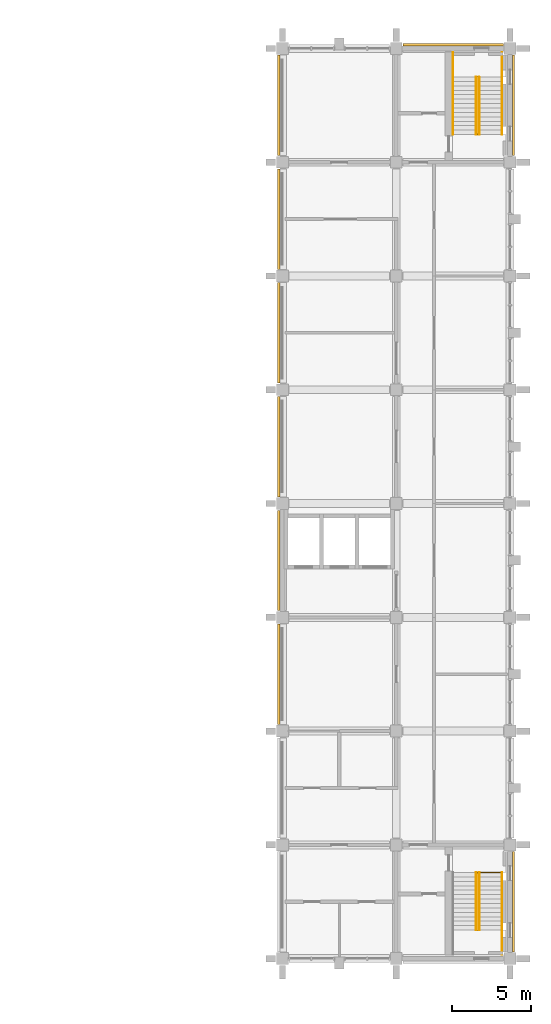
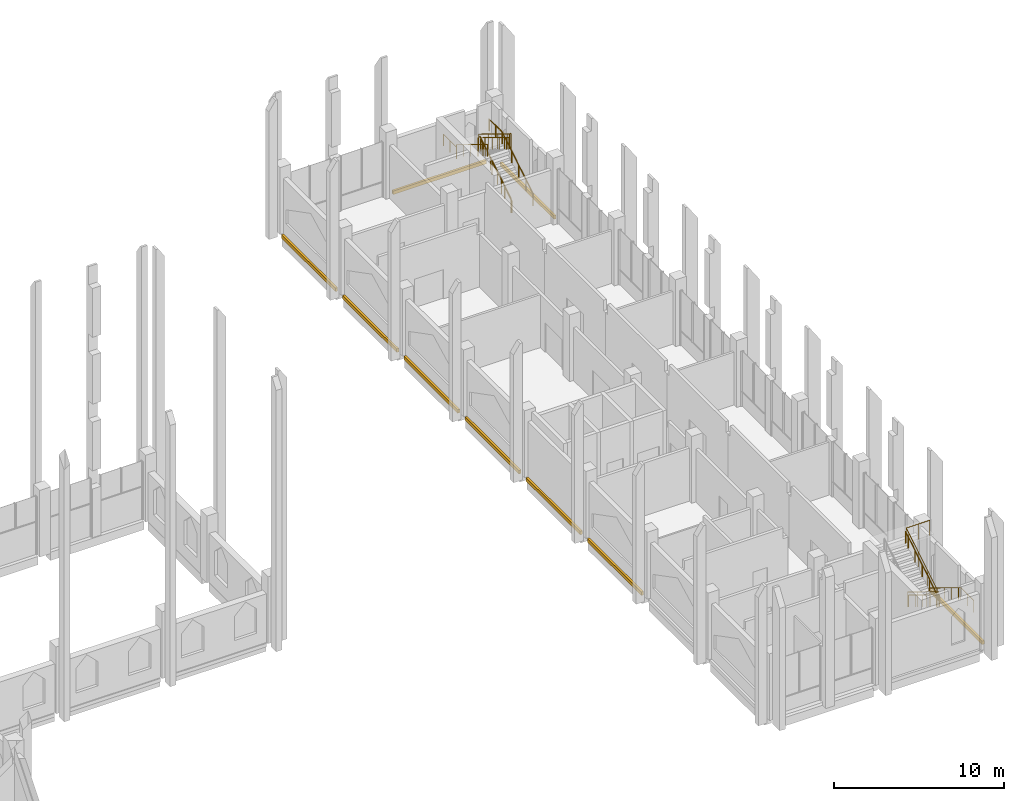
# One storey, part 40 of 40: 9 coverings, 9 railings.
"""IFC4 building model written with IfcOpenShell, lengths in metres."""

from ifc_helpers import new_model, si_unit, direction, frame, origin, origin_2d, place, context, subcontext, project, spatial, rectangle, circle, extrude, material, type_object, element, save


model = new_model("IFC4")

# Units and contexts
model_context = context("Model", 3, precision=1e-05, world=origin(), true_north=direction((0.0, 1.0)))
body_context = subcontext(model_context, "Body", "Model", "MODEL_VIEW")
ifc_project = project(units=[si_unit("LENGTHUNIT", "METRE"), si_unit("AREAUNIT", "SQUARE_METRE"), si_unit("VOLUMEUNIT", "CUBIC_METRE"), si_unit("PLANEANGLEUNIT", "RADIAN"), si_unit("MASSUNIT", "GRAM", prefix="KILO")], contexts=[model_context])

# Site, building, storey
site_placement = place(None, origin())
site = spatial("IfcSite", under=ifc_project, at=site_placement, CompositionType="ELEMENT")
building_placement = place(site_placement, origin())
building = spatial("IfcBuilding", under=site, at=building_placement, Name="Silangan Lancet Faculty of Sciences", CompositionType="ELEMENT")
storey_placement = place(building_placement, frame((0.0, 0.0, 21.60009765625)))
storey = spatial("IfcBuildingStorey", under=building, at=storey_placement, Name="L04", CompositionType="ELEMENT", Elevation=21.60009765625)

# Coverings
ifc_material_1 = material(Name="Concrete C40/50 precast", Category="concrete")
covering_type = type_object("IfcCoveringType", Name="SC1 Precast string course 250 x 150", PredefinedType="CLADDING", material=ifc_material_1)
for number, where, z_axis, x_axis, name in (
    (1, (86.625, 3.60009765625, -0.25), (0.0, 0.0, 1.0), (1.0, 0.0, 0.0), "SC-L04-E-EB-00"),
    (2, (86.625, 54.0, -0.25), (0.0, 0.0, 1.0), (1.0, 0.0, 0.0), "SC-L04-E-EB-07"),
):
    element("IfcCovering", number, at=place(storey_placement, frame(where, z_axis=z_axis, x_axis=x_axis)), inside=storey, type_object=covering_type, Name=name, PredefinedType="CLADDING", context=body_context, shape_type="SweptSolid", body=[
        extrude(rectangle(XDim=0.14990234375, YDim=6.35009765625, at=origin_2d()), origin(), (0.0, 0.0, 1.0), 0.25),
    ])
covering_placement = place(storey_placement, frame((82.800048828125, 57.824951171875, -0.25), z_axis=(0.0, 0.0, 1.0), x_axis=(1.0, 0.0, 0.0)))
element("IfcCovering", 3, at=covering_placement, inside=storey, type_object=covering_type, Name="SC-L04-N-EB-00", PredefinedType="CLADDING", context=body_context, shape_type="SweptSolid", body=[
    extrude(rectangle(XDim=6.35009765625, YDim=0.14990234375, at=origin_2d()), origin(), (0.0, 0.0, 1.0), 0.25),
])
for number, where, z_axis, x_axis, name in (
    (4, (71.77490234375, 18.0, -0.25), (0.0, 0.0, 1.0), (1.0, 0.0, 0.0), "SC-L04-W-EB-02"),
    (5, (71.77490234375, 25.199951171875, -0.25), (0.0, 0.0, 1.0), (1.0, 0.0, 0.0), "SC-L04-W-EB-03"),
    (6, (71.77490234375, 32.39990234375, -0.25), (0.0, 0.0, 1.0), (1.0, 0.0, 0.0), "SC-L04-W-EB-04"),
    (7, (71.77490234375, 39.60009765625, -0.25), (0.0, 0.0, 1.0), (1.0, 0.0, 0.0), "SC-L04-W-EB-05"),
    (8, (71.77490234375, 46.800048828125, -0.25), (0.0, 0.0, 1.0), (1.0, 0.0, 0.0), "SC-L04-W-EB-06"),
    (9, (71.77490234375, 54.0, -0.25), (0.0, 0.0, 1.0), (1.0, 0.0, 0.0), "SC-L04-W-EB-07"),
):
    element("IfcCovering", number, at=place(storey_placement, frame(where, z_axis=z_axis, x_axis=x_axis)), inside=storey, type_object=covering_type, Name=name, PredefinedType="CLADDING", context=body_context, shape_type="SweptSolid", body=[
        extrude(rectangle(XDim=0.14990234375, YDim=6.35009765625, at=origin_2d()), origin(), (0.0, 0.0, 1.0), 0.25),
    ])

# Railings
ifc_material_2 = material(Name="Steel balustrade", Category="steel")
railing_type_1 = type_object("IfcRailingType", Name="STAIR GUARD 1100", PredefinedType="GUARDRAIL", material=ifc_material_2)
railing_1_placement = place(storey_placement, frame((84.39990234375, 5.449951171875, 0.17138671875)))
element("IfcRailing", 10, at=railing_1_placement, inside=storey, type_object=railing_type_1, Name="GUARD-EB-A-L04", PredefinedType="GUARDRAIL", context=body_context, shape_type="SweptSolid", body=[
    extrude(circle(Radius=0.02392578125, at=origin_2d()), frame((0.0, 0.0, 1.076171875), z_axis=(0.0, -0.852881719064, 0.522104178577), x_axis=(1.0, 0.0, 0.0)), (0.0, 0.0, 1.0), 1.31298828125),
    extrude(circle(Radius=0.02392578125, at=origin_2d()), frame((0.0, -1.119873046875, 1.76171875), z_axis=(0.0, -0.852849614702, 0.52215661894), x_axis=(1.0, 0.0, 0.0)), (0.0, 0.0, 1.0), 1.3134765625),
    extrude(circle(Radius=0.02392578125, at=origin_2d()), frame((0.0, -2.239990234375, 2.447265625), z_axis=(0.0, -0.852798921012, 0.522239409008), x_axis=(1.0, 0.0, 0.0)), (0.0, 0.0, 1.0), 1.313232421875),
    extrude(circle(Radius=0.02392578125, at=origin_2d()), frame((0.0, -3.35986328125, 3.13330078125), z_axis=(0.0, -0.852932391421, 0.522021393877), x_axis=(1.0, 0.0, 0.0)), (0.0, 0.0, 1.0), 0.328369140625),
    extrude(circle(Radius=0.02392578125, at=origin_2d()), frame((0.0, -3.639892578125, 3.3046875), z_axis=(-1.0, 0.0, 0.0), x_axis=(0.0, -1.0, 0.0)), (0.0, 0.0, 1.0), 0.099853515625),
    extrude(circle(Radius=0.02392578125, at=origin_2d()), frame((-0.099853515625, -3.639892578125, 3.3046875), z_axis=(0.0, 0.0, 1.0), x_axis=(1.0, 0.0, 0.0)), (0.0, 0.0, 1.0), 0.17138671875),
    extrude(circle(Radius=0.02392578125, at=origin_2d()), frame((-0.099853515625, -3.639892578125, 3.47607421875), z_axis=(0.0, 0.852798921012, 0.522239409008), x_axis=(-1.0, 0.0, 0.0)), (0.0, 0.0, 1.0), 1.313232421875),
    extrude(circle(Radius=0.02392578125, at=origin_2d()), frame((-0.099853515625, -2.52001953125, 4.16162109375), z_axis=(0.0, 0.852849614702, 0.52215661894), x_axis=(-1.0, 0.0, 0.0)), (0.0, 0.0, 1.0), 1.3134765625),
    extrude(circle(Radius=0.02392578125, at=origin_2d()), frame((-0.099853515625, -1.39990234375, 4.84765625), z_axis=(0.0, 0.852881719064, 0.522104178577), x_axis=(-1.0, 0.0, 0.0)), (0.0, 0.0, 1.0), 1.31298828125),
    extrude(circle(Radius=0.02392578125, at=origin_2d()), frame((-0.099853515625, -0.280029296875, 5.533203125), z_axis=(0.0, 0.852932391421, 0.522021393877), x_axis=(-1.0, 0.0, 0.0)), (0.0, 0.0, 1.0), 0.328369140625),
    extrude(circle(Radius=0.02392578125, at=origin_2d()), frame((-0.099853515625, 0.0, 5.70458984375), z_axis=(1.0, 0.0, 0.0), x_axis=(0.0, 1.0, 0.0)), (0.0, 0.0, 1.0), 1.599853515625),
    extrude(circle(Radius=0.02099609375, at=origin_2d()), origin(), (0.0, 0.0, 1.0), 1.052001953125),
    extrude(circle(Radius=0.02099609375, at=origin_2d()), frame((0.0, -1.119873046875, 0.685546875)), (0.0, 0.0, 1.0), 1.052001953125),
    extrude(circle(Radius=0.02099609375, at=origin_2d()), frame((0.0, -2.239990234375, 1.371337890625)), (0.0, 0.0, 1.0), 1.052001953125),
    extrude(circle(Radius=0.02099609375, at=origin_2d()), frame((0.0, -3.35986328125, 2.05712890625)), (0.0, 0.0, 1.0), 1.052001953125),
    extrude(circle(Radius=0.02099609375, at=origin_2d()), frame((0.0, -3.639892578125, 2.228515625)), (0.0, 0.0, 1.0), 1.052001953125),
    extrude(circle(Radius=0.02099609375, at=origin_2d()), frame((-0.099853515625, -3.639892578125, 2.228515625)), (0.0, 0.0, 1.0), 1.052001953125),
    extrude(circle(Radius=0.02099609375, at=origin_2d()), frame((-0.099853515625, -3.639892578125, 2.39990234375)), (0.0, 0.0, 1.0), 1.052001953125),
    extrude(circle(Radius=0.02099609375, at=origin_2d()), frame((-0.099853515625, -2.52001953125, 3.085693359375)), (0.0, 0.0, 1.0), 1.052001953125),
    extrude(circle(Radius=0.02099609375, at=origin_2d()), frame((-0.099853515625, -1.39990234375, 3.771484375)), (0.0, 0.0, 1.0), 1.052001953125),
    extrude(circle(Radius=0.02099609375, at=origin_2d()), frame((-0.099853515625, -0.280029296875, 4.45703125)), (0.0, 0.0, 1.0), 1.052001953125),
    extrude(circle(Radius=0.02099609375, at=origin_2d()), frame((-0.099853515625, 0.0, 4.62841796875)), (0.0, 0.0, 1.0), 1.052001953125),
    extrude(circle(Radius=0.02099609375, at=origin_2d()), frame((0.7001953125, 0.0, 4.62841796875)), (0.0, 0.0, 1.0), 1.052001953125),
    extrude(circle(Radius=0.02099609375, at=origin_2d()), frame((1.5, 0.0, 4.62841796875)), (0.0, 0.0, 1.0), 1.052001953125),
])
railing_2_placement = place(storey_placement, frame((84.39990234375, 52.14990234375, 0.17138671875)))
element("IfcRailing", 11, at=railing_2_placement, inside=storey, type_object=railing_type_1, Name="GUARD-EB-B-L04", PredefinedType="GUARDRAIL", context=body_context, shape_type="SweptSolid", body=[
    extrude(circle(Radius=0.02392578125, at=origin_2d()), frame((0.0, 0.0, 1.076171875), z_axis=(0.0, 0.852932391421, 0.522021393877), x_axis=(-1.0, 0.0, 0.0)), (0.0, 0.0, 1.0), 1.313232421875),
    extrude(circle(Radius=0.02392578125, at=origin_2d()), frame((0.0, 1.1201171875, 1.76171875), z_axis=(0.0, 0.852798921012, 0.522239409008), x_axis=(-1.0, 0.0, 0.0)), (0.0, 0.0, 1.0), 1.313232421875),
    extrude(circle(Radius=0.02392578125, at=origin_2d()), frame((0.0, 2.239990234375, 2.447265625), z_axis=(0.0, 0.852849614702, 0.52215661894), x_axis=(-1.0, 0.0, 0.0)), (0.0, 0.0, 1.0), 1.3134765625),
    extrude(circle(Radius=0.02392578125, at=origin_2d()), frame((0.0, 3.360107421875, 3.13330078125), z_axis=(0.0, 0.852932391421, 0.522021393877), x_axis=(-1.0, 0.0, 0.0)), (0.0, 0.0, 1.0), 0.328369140625),
    extrude(circle(Radius=0.02392578125, at=origin_2d()), frame((0.0, 3.64013671875, 3.3046875), z_axis=(-1.0, 0.0, 0.0), x_axis=(0.0, -1.0, 0.0)), (0.0, 0.0, 1.0), 0.099853515625),
    extrude(circle(Radius=0.02392578125, at=origin_2d()), frame((-0.099853515625, 3.64013671875, 3.3046875), z_axis=(0.0, 0.0, 1.0), x_axis=(1.0, 0.0, 0.0)), (0.0, 0.0, 1.0), 0.17138671875),
    extrude(circle(Radius=0.02392578125, at=origin_2d()), frame((-0.099853515625, 3.64013671875, 3.47607421875), z_axis=(0.0, -0.852849614702, 0.52215661894), x_axis=(1.0, 0.0, 0.0)), (0.0, 0.0, 1.0), 1.3134765625),
    extrude(circle(Radius=0.02392578125, at=origin_2d()), frame((-0.099853515625, 2.52001953125, 4.16162109375), z_axis=(0.0, -0.852798921012, 0.522239409008), x_axis=(1.0, 0.0, 0.0)), (0.0, 0.0, 1.0), 1.313232421875),
    extrude(circle(Radius=0.02392578125, at=origin_2d()), frame((-0.099853515625, 1.400146484375, 4.84765625), z_axis=(0.0, -0.852932391421, 0.522021393877), x_axis=(1.0, 0.0, 0.0)), (0.0, 0.0, 1.0), 1.313232421875),
    extrude(circle(Radius=0.02392578125, at=origin_2d()), frame((-0.099853515625, 0.280029296875, 5.533203125), z_axis=(0.0, -0.852932391421, 0.522021393877), x_axis=(1.0, 0.0, 0.0)), (0.0, 0.0, 1.0), 0.328369140625),
    extrude(circle(Radius=0.02392578125, at=origin_2d()), frame((-0.099853515625, 0.0, 5.70458984375), z_axis=(1.0, 0.0, 0.0), x_axis=(0.0, 1.0, 0.0)), (0.0, 0.0, 1.0), 0.099853515625),
    extrude(circle(Radius=0.02099609375, at=origin_2d()), origin(), (0.0, 0.0, 1.0), 1.052001953125),
    extrude(circle(Radius=0.02099609375, at=origin_2d()), frame((0.0, 1.1201171875, 0.685546875)), (0.0, 0.0, 1.0), 1.052001953125),
    extrude(circle(Radius=0.02099609375, at=origin_2d()), frame((0.0, 2.239990234375, 1.371337890625)), (0.0, 0.0, 1.0), 1.052001953125),
    extrude(circle(Radius=0.02099609375, at=origin_2d()), frame((0.0, 3.360107421875, 2.05712890625)), (0.0, 0.0, 1.0), 1.052001953125),
    extrude(circle(Radius=0.02099609375, at=origin_2d()), frame((0.0, 3.64013671875, 2.228515625)), (0.0, 0.0, 1.0), 1.052001953125),
    extrude(circle(Radius=0.02099609375, at=origin_2d()), frame((-0.099853515625, 3.64013671875, 2.228515625)), (0.0, 0.0, 1.0), 1.052001953125),
    extrude(circle(Radius=0.02099609375, at=origin_2d()), frame((-0.099853515625, 3.64013671875, 2.39990234375)), (0.0, 0.0, 1.0), 1.052001953125),
    extrude(circle(Radius=0.02099609375, at=origin_2d()), frame((-0.099853515625, 2.52001953125, 3.085693359375)), (0.0, 0.0, 1.0), 1.052001953125),
    extrude(circle(Radius=0.02099609375, at=origin_2d()), frame((-0.099853515625, 1.400146484375, 3.771484375)), (0.0, 0.0, 1.0), 1.052001953125),
    extrude(circle(Radius=0.02099609375, at=origin_2d()), frame((-0.099853515625, 0.280029296875, 4.45703125)), (0.0, 0.0, 1.0), 1.052001953125),
    extrude(circle(Radius=0.02099609375, at=origin_2d()), frame((-0.099853515625, 0.0, 4.62841796875)), (0.0, 0.0, 1.0), 1.052001953125),
    extrude(circle(Radius=0.02099609375, at=origin_2d()), frame((0.0, 0.0, 4.62841796875)), (0.0, 0.0, 1.0), 1.052001953125),
])
ifc_material_3 = material(Name="Stainless steel", Category="steel")
railing_type_2 = type_object("IfcRailingType", Name="STAIR HANDRAIL 865", PredefinedType="HANDRAIL", material=ifc_material_3)
railing_3_placement = place(storey_placement, frame((85.89990234375, 5.449951171875, 0.17138671875)))
element("IfcRailing", 12, at=railing_3_placement, inside=storey, type_object=railing_type_2, Name="HANDRAIL-EB-A-L04-O1", PredefinedType="HANDRAIL", context=body_context, shape_type="SweptSolid", body=[
    extrude(circle(Radius=0.02392578125, at=origin_2d()), frame((0.0, 0.0, 0.8408203125), z_axis=(0.0, -0.85286482292, 0.522131778218), x_axis=(1.0, 0.0, 0.0)), (0.0, 0.0, 1.0), 0.984619140625),
    extrude(circle(Radius=0.02392578125, at=origin_2d()), frame((0.0, -0.83984375, 1.35498046875), z_axis=(0.0, -0.852822021269, 0.522201685212), x_axis=(1.0, 0.0, 0.0)), (0.0, 0.0, 1.0), 0.985107421875),
    extrude(circle(Radius=0.02392578125, at=origin_2d()), frame((0.0, -1.679931640625, 1.86962890625), z_axis=(0.0, -0.852932391421, 0.522021393877), x_axis=(1.0, 0.0, 0.0)), (0.0, 0.0, 1.0), 0.98486328125),
    extrude(circle(Radius=0.02392578125, at=origin_2d()), frame((0.0, -2.52001953125, 2.3837890625), z_axis=(0.0, -0.852754414843, 0.522312079092), x_axis=(1.0, 0.0, 0.0)), (0.0, 0.0, 1.0), 0.98486328125),
    extrude(circle(Radius=0.02392578125, at=origin_2d()), frame((0.0, -3.35986328125, 2.89794921875), z_axis=(0.0, -0.852932391421, 0.522021393877), x_axis=(1.0, 0.0, 0.0)), (0.0, 0.0, 1.0), 0.328369140625),
    extrude(circle(Radius=0.02392578125, at=origin_2d()), frame((0.0, -3.639892578125, 3.0693359375), z_axis=(0.0, -1.0, 0.0), x_axis=(1.0, 0.0, 0.0)), (0.0, 0.0, 1.0), 1.53515625),
    extrude(circle(Radius=0.02099609375, at=origin_2d()), origin(), (0.0, 0.0, 1.0), 0.81689453125),
    extrude(circle(Radius=0.02099609375, at=origin_2d()), frame((0.0, -0.83984375, 0.51416015625)), (0.0, 0.0, 1.0), 0.81689453125),
    extrude(circle(Radius=0.02099609375, at=origin_2d()), frame((0.0, -1.679931640625, 1.028564453125)), (0.0, 0.0, 1.0), 0.81689453125),
    extrude(circle(Radius=0.02099609375, at=origin_2d()), frame((0.0, -2.52001953125, 1.542724609375)), (0.0, 0.0, 1.0), 0.81689453125),
    extrude(circle(Radius=0.02099609375, at=origin_2d()), frame((0.0, -3.35986328125, 2.05712890625)), (0.0, 0.0, 1.0), 0.81689453125),
    extrude(circle(Radius=0.02099609375, at=origin_2d()), frame((0.0, -3.639892578125, 2.228515625)), (0.0, 0.0, 1.0), 0.81689453125),
    extrude(circle(Radius=0.02099609375, at=origin_2d()), frame((0.0, -4.407470703125, 2.228515625)), (0.0, 0.0, 1.0), 0.81689453125),
    extrude(circle(Radius=0.02099609375, at=origin_2d()), frame((0.0, -5.175048828125, 2.228515625)), (0.0, 0.0, 1.0), 0.81689453125),
])
railing_4_placement = place(storey_placement, frame((84.449951171875, 5.449951171875, 0.17138671875)))
element("IfcRailing", 13, at=railing_4_placement, inside=storey, type_object=railing_type_2, Name="HANDRAIL-EB-A-L04-I1", PredefinedType="HANDRAIL", context=body_context, shape_type="SweptSolid", body=[
    extrude(circle(Radius=0.02392578125, at=origin_2d()), frame((0.0, 0.0, 0.8408203125), z_axis=(0.0, -0.85286482292, 0.522131778218), x_axis=(1.0, 0.0, 0.0)), (0.0, 0.0, 1.0), 0.984619140625),
    extrude(circle(Radius=0.02392578125, at=origin_2d()), frame((0.0, -0.83984375, 1.35498046875), z_axis=(0.0, -0.852822021269, 0.522201685212), x_axis=(1.0, 0.0, 0.0)), (0.0, 0.0, 1.0), 0.985107421875),
    extrude(circle(Radius=0.02392578125, at=origin_2d()), frame((0.0, -1.679931640625, 1.86962890625), z_axis=(0.0, -0.852932391421, 0.522021393877), x_axis=(1.0, 0.0, 0.0)), (0.0, 0.0, 1.0), 0.98486328125),
    extrude(circle(Radius=0.02392578125, at=origin_2d()), frame((0.0, -2.52001953125, 2.3837890625), z_axis=(0.0, -0.852754414843, 0.522312079092), x_axis=(1.0, 0.0, 0.0)), (0.0, 0.0, 1.0), 0.98486328125),
    extrude(circle(Radius=0.02392578125, at=origin_2d()), frame((0.0, -3.35986328125, 2.89794921875), z_axis=(0.0, -0.852932391421, 0.522021393877), x_axis=(1.0, 0.0, 0.0)), (0.0, 0.0, 1.0), 0.328369140625),
    extrude(circle(Radius=0.02099609375, at=origin_2d()), origin(), (0.0, 0.0, 1.0), 0.81689453125),
    extrude(circle(Radius=0.02099609375, at=origin_2d()), frame((0.0, -0.83984375, 0.51416015625)), (0.0, 0.0, 1.0), 0.81689453125),
    extrude(circle(Radius=0.02099609375, at=origin_2d()), frame((0.0, -1.679931640625, 1.028564453125)), (0.0, 0.0, 1.0), 0.81689453125),
    extrude(circle(Radius=0.02099609375, at=origin_2d()), frame((0.0, -2.52001953125, 1.542724609375)), (0.0, 0.0, 1.0), 0.81689453125),
    extrude(circle(Radius=0.02099609375, at=origin_2d()), frame((0.0, -3.35986328125, 2.05712890625)), (0.0, 0.0, 1.0), 0.81689453125),
    extrude(circle(Radius=0.02099609375, at=origin_2d()), frame((0.0, -3.639892578125, 2.228515625)), (0.0, 0.0, 1.0), 0.81689453125),
])
railing_5_placement = place(storey_placement, frame((84.25, 1.81005859375, 2.5712890625)))
element("IfcRailing", 14, at=railing_5_placement, inside=storey, type_object=railing_type_2, Name="HANDRAIL-EB-A-L04-I2", PredefinedType="HANDRAIL", context=body_context, shape_type="SweptSolid", body=[
    extrude(circle(Radius=0.02392578125, at=origin_2d()), frame((0.0, 0.0, 0.8408203125), z_axis=(0.0, 0.852754414843, 0.522312079092), x_axis=(-1.0, 0.0, 0.0)), (0.0, 0.0, 1.0), 0.98486328125),
    extrude(circle(Radius=0.02392578125, at=origin_2d()), frame((0.0, 0.83984375, 1.35546875), z_axis=(0.0, 0.852932391421, 0.522021393877), x_axis=(-1.0, 0.0, 0.0)), (0.0, 0.0, 1.0), 0.98486328125),
    extrude(circle(Radius=0.02392578125, at=origin_2d()), frame((0.0, 1.679931640625, 1.86962890625), z_axis=(0.0, 0.852822021269, 0.522201685212), x_axis=(-1.0, 0.0, 0.0)), (0.0, 0.0, 1.0), 0.985107421875),
    extrude(circle(Radius=0.02392578125, at=origin_2d()), frame((0.0, 2.52001953125, 2.3837890625), z_axis=(0.0, 0.85286482292, 0.522131778218), x_axis=(-1.0, 0.0, 0.0)), (0.0, 0.0, 1.0), 0.984619140625),
    extrude(circle(Radius=0.02392578125, at=origin_2d()), frame((0.0, 3.35986328125, 2.89794921875), z_axis=(0.0, 0.852932391421, 0.522021393877), x_axis=(-1.0, 0.0, 0.0)), (0.0, 0.0, 1.0), 0.328369140625),
    extrude(circle(Radius=0.02099609375, at=origin_2d()), origin(), (0.0, 0.0, 1.0), 0.81689453125),
    extrude(circle(Radius=0.02099609375, at=origin_2d()), frame((0.0, 0.83984375, 0.514404296875)), (0.0, 0.0, 1.0), 0.81689453125),
    extrude(circle(Radius=0.02099609375, at=origin_2d()), frame((0.0, 1.679931640625, 1.028564453125)), (0.0, 0.0, 1.0), 0.81689453125),
    extrude(circle(Radius=0.02099609375, at=origin_2d()), frame((0.0, 2.52001953125, 1.54296875)), (0.0, 0.0, 1.0), 0.81689453125),
    extrude(circle(Radius=0.02099609375, at=origin_2d()), frame((0.0, 3.35986328125, 2.05712890625)), (0.0, 0.0, 1.0), 0.81689453125),
    extrude(circle(Radius=0.02099609375, at=origin_2d()), frame((0.0, 3.639892578125, 2.228515625)), (0.0, 0.0, 1.0), 0.81689453125),
])
railing_6_placement = place(storey_placement, frame((85.89990234375, 52.14990234375, 0.17138671875)))
element("IfcRailing", 15, at=railing_6_placement, inside=storey, type_object=railing_type_2, Name="HANDRAIL-EB-B-L04-O1", PredefinedType="HANDRAIL", context=body_context, shape_type="SweptSolid", body=[
    extrude(circle(Radius=0.02392578125, at=origin_2d()), frame((0.0, 0.0, 0.8408203125), z_axis=(0.0, 0.852932391421, 0.522021393877), x_axis=(-1.0, 0.0, 0.0)), (0.0, 0.0, 1.0), 0.98486328125),
    extrude(circle(Radius=0.02392578125, at=origin_2d()), frame((0.0, 0.840087890625, 1.35498046875), z_axis=(0.0, 0.852822021269, 0.522201685212), x_axis=(-1.0, 0.0, 0.0)), (0.0, 0.0, 1.0), 0.985107421875),
    extrude(circle(Radius=0.02392578125, at=origin_2d()), frame((0.0, 1.68017578125, 1.86962890625), z_axis=(0.0, 0.85286482292, 0.522131778218), x_axis=(-1.0, 0.0, 0.0)), (0.0, 0.0, 1.0), 0.984619140625),
    extrude(circle(Radius=0.02392578125, at=origin_2d()), frame((0.0, 2.52001953125, 2.3837890625), z_axis=(0.0, 0.852822021269, 0.522201685212), x_axis=(-1.0, 0.0, 0.0)), (0.0, 0.0, 1.0), 0.985107421875),
    extrude(circle(Radius=0.02392578125, at=origin_2d()), frame((0.0, 3.360107421875, 2.89794921875), z_axis=(0.0, 0.852932391421, 0.522021393877), x_axis=(-1.0, 0.0, 0.0)), (0.0, 0.0, 1.0), 0.328369140625),
    extrude(circle(Radius=0.02392578125, at=origin_2d()), frame((0.0, 3.64013671875, 3.0693359375), z_axis=(0.0, 1.0, 0.0), x_axis=(-1.0, 0.0, 0.0)), (0.0, 0.0, 1.0), 1.534912109375),
    extrude(circle(Radius=0.02099609375, at=origin_2d()), origin(), (0.0, 0.0, 1.0), 0.81689453125),
    extrude(circle(Radius=0.02099609375, at=origin_2d()), frame((0.0, 0.840087890625, 0.51416015625)), (0.0, 0.0, 1.0), 0.81689453125),
    extrude(circle(Radius=0.02099609375, at=origin_2d()), frame((0.0, 1.68017578125, 1.028564453125)), (0.0, 0.0, 1.0), 0.81689453125),
    extrude(circle(Radius=0.02099609375, at=origin_2d()), frame((0.0, 2.52001953125, 1.542724609375)), (0.0, 0.0, 1.0), 0.81689453125),
    extrude(circle(Radius=0.02099609375, at=origin_2d()), frame((0.0, 3.360107421875, 2.05712890625)), (0.0, 0.0, 1.0), 0.81689453125),
    extrude(circle(Radius=0.02099609375, at=origin_2d()), frame((0.0, 3.64013671875, 2.228515625)), (0.0, 0.0, 1.0), 0.81689453125),
    extrude(circle(Radius=0.02099609375, at=origin_2d()), frame((0.0, 4.40771484375, 2.228515625)), (0.0, 0.0, 1.0), 0.81689453125),
    extrude(circle(Radius=0.02099609375, at=origin_2d()), frame((0.0, 5.175048828125, 2.228515625)), (0.0, 0.0, 1.0), 0.81689453125),
])
railing_7_placement = place(storey_placement, frame((84.449951171875, 52.14990234375, 0.17138671875)))
element("IfcRailing", 16, at=railing_7_placement, inside=storey, type_object=railing_type_2, Name="HANDRAIL-EB-B-L04-I1", PredefinedType="HANDRAIL", context=body_context, shape_type="SweptSolid", body=[
    extrude(circle(Radius=0.02392578125, at=origin_2d()), frame((0.0, 0.0, 0.8408203125), z_axis=(0.0, 0.852932391421, 0.522021393877), x_axis=(-1.0, 0.0, 0.0)), (0.0, 0.0, 1.0), 0.98486328125),
    extrude(circle(Radius=0.02392578125, at=origin_2d()), frame((0.0, 0.840087890625, 1.35498046875), z_axis=(0.0, 0.852822021269, 0.522201685212), x_axis=(-1.0, 0.0, 0.0)), (0.0, 0.0, 1.0), 0.985107421875),
    extrude(circle(Radius=0.02392578125, at=origin_2d()), frame((0.0, 1.68017578125, 1.86962890625), z_axis=(0.0, 0.85286482292, 0.522131778218), x_axis=(-1.0, 0.0, 0.0)), (0.0, 0.0, 1.0), 0.984619140625),
    extrude(circle(Radius=0.02392578125, at=origin_2d()), frame((0.0, 2.52001953125, 2.3837890625), z_axis=(0.0, 0.852822021269, 0.522201685212), x_axis=(-1.0, 0.0, 0.0)), (0.0, 0.0, 1.0), 0.985107421875),
    extrude(circle(Radius=0.02392578125, at=origin_2d()), frame((0.0, 3.360107421875, 2.89794921875), z_axis=(0.0, 0.852932391421, 0.522021393877), x_axis=(-1.0, 0.0, 0.0)), (0.0, 0.0, 1.0), 0.328369140625),
    extrude(circle(Radius=0.02099609375, at=origin_2d()), origin(), (0.0, 0.0, 1.0), 0.81689453125),
    extrude(circle(Radius=0.02099609375, at=origin_2d()), frame((0.0, 0.840087890625, 0.51416015625)), (0.0, 0.0, 1.0), 0.81689453125),
    extrude(circle(Radius=0.02099609375, at=origin_2d()), frame((0.0, 1.68017578125, 1.028564453125)), (0.0, 0.0, 1.0), 0.81689453125),
    extrude(circle(Radius=0.02099609375, at=origin_2d()), frame((0.0, 2.52001953125, 1.542724609375)), (0.0, 0.0, 1.0), 0.81689453125),
    extrude(circle(Radius=0.02099609375, at=origin_2d()), frame((0.0, 3.360107421875, 2.05712890625)), (0.0, 0.0, 1.0), 0.81689453125),
    extrude(circle(Radius=0.02099609375, at=origin_2d()), frame((0.0, 3.64013671875, 2.228515625)), (0.0, 0.0, 1.0), 0.81689453125),
])
railing_8_placement = place(storey_placement, frame((82.800048828125, 57.324951171875, 2.39990234375)))
element("IfcRailing", 17, at=railing_8_placement, inside=storey, type_object=railing_type_2, Name="HANDRAIL-EB-B-L04-O2", PredefinedType="HANDRAIL", context=body_context, shape_type="SweptSolid", body=[
    extrude(circle(Radius=0.02392578125, at=origin_2d()), frame((0.0, 0.0, 0.8408203125), z_axis=(0.0, -1.0, 0.0), x_axis=(1.0, 0.0, 0.0)), (0.0, 0.0, 1.0), 1.534912109375),
    extrude(circle(Radius=0.02392578125, at=origin_2d()), frame((0.0, -1.534912109375, 0.8408203125), z_axis=(0.0, 0.0, 1.0), x_axis=(1.0, 0.0, 0.0)), (0.0, 0.0, 1.0), 0.17138671875),
    extrude(circle(Radius=0.02392578125, at=origin_2d()), frame((0.0, -1.534912109375, 1.01220703125), z_axis=(0.0, -0.852822021269, 0.522201685212), x_axis=(1.0, 0.0, 0.0)), (0.0, 0.0, 1.0), 0.985107421875),
    extrude(circle(Radius=0.02392578125, at=origin_2d()), frame((0.0, -2.375, 1.52685546875), z_axis=(0.0, -0.85286482292, 0.522131778218), x_axis=(1.0, 0.0, 0.0)), (0.0, 0.0, 1.0), 0.984619140625),
    extrude(circle(Radius=0.02392578125, at=origin_2d()), frame((0.0, -3.21484375, 2.041015625), z_axis=(0.0, -0.852822021269, 0.522201685212), x_axis=(1.0, 0.0, 0.0)), (0.0, 0.0, 1.0), 0.985107421875),
    extrude(circle(Radius=0.02392578125, at=origin_2d()), frame((0.0, -4.054931640625, 2.55517578125), z_axis=(0.0, -0.852932391421, 0.522021393877), x_axis=(1.0, 0.0, 0.0)), (0.0, 0.0, 1.0), 0.98486328125),
    extrude(circle(Radius=0.02392578125, at=origin_2d()), frame((0.0, -4.89501953125, 3.0693359375), z_axis=(0.0, -0.852932391421, 0.522021393877), x_axis=(1.0, 0.0, 0.0)), (0.0, 0.0, 1.0), 0.328369140625),
    extrude(circle(Radius=0.02099609375, at=origin_2d()), origin(), (0.0, 0.0, 1.0), 0.81689453125),
    extrude(circle(Radius=0.02099609375, at=origin_2d()), frame((0.0, -0.767578125, 0.0)), (0.0, 0.0, 1.0), 0.81689453125),
    extrude(circle(Radius=0.02099609375, at=origin_2d()), frame((0.0, -1.534912109375, 0.0)), (0.0, 0.0, 1.0), 0.81689453125),
    extrude(circle(Radius=0.02099609375, at=origin_2d()), frame((0.0, -1.534912109375, 0.17138671875)), (0.0, 0.0, 1.0), 0.81689453125),
    extrude(circle(Radius=0.02099609375, at=origin_2d()), frame((0.0, -2.375, 0.685791015625)), (0.0, 0.0, 1.0), 0.81689453125),
    extrude(circle(Radius=0.02099609375, at=origin_2d()), frame((0.0, -3.21484375, 1.199951171875)), (0.0, 0.0, 1.0), 0.81689453125),
    extrude(circle(Radius=0.02099609375, at=origin_2d()), frame((0.0, -4.054931640625, 1.71435546875)), (0.0, 0.0, 1.0), 0.81689453125),
    extrude(circle(Radius=0.02099609375, at=origin_2d()), frame((0.0, -4.89501953125, 2.228515625)), (0.0, 0.0, 1.0), 0.81689453125),
    extrude(circle(Radius=0.02099609375, at=origin_2d()), frame((0.0, -5.175048828125, 2.39990234375)), (0.0, 0.0, 1.0), 0.81689453125),
])
railing_9_placement = place(storey_placement, frame((84.25, 55.7900390625, 2.5712890625)))
element("IfcRailing", 18, at=railing_9_placement, inside=storey, type_object=railing_type_2, Name="HANDRAIL-EB-B-L04-I2", PredefinedType="HANDRAIL", context=body_context, shape_type="SweptSolid", body=[
    extrude(circle(Radius=0.02392578125, at=origin_2d()), frame((0.0, 0.0, 0.8408203125), z_axis=(0.0, -0.852822021269, 0.522201685212), x_axis=(1.0, 0.0, 0.0)), (0.0, 0.0, 1.0), 0.985107421875),
    extrude(circle(Radius=0.02392578125, at=origin_2d()), frame((0.0, -0.840087890625, 1.35546875), z_axis=(0.0, -0.85286482292, 0.522131778218), x_axis=(1.0, 0.0, 0.0)), (0.0, 0.0, 1.0), 0.984619140625),
    extrude(circle(Radius=0.02392578125, at=origin_2d()), frame((0.0, -1.679931640625, 1.86962890625), z_axis=(0.0, -0.852822021269, 0.522201685212), x_axis=(1.0, 0.0, 0.0)), (0.0, 0.0, 1.0), 0.985107421875),
    extrude(circle(Radius=0.02392578125, at=origin_2d()), frame((0.0, -2.52001953125, 2.3837890625), z_axis=(0.0, -0.852932391421, 0.522021393877), x_axis=(1.0, 0.0, 0.0)), (0.0, 0.0, 1.0), 0.98486328125),
    extrude(circle(Radius=0.02392578125, at=origin_2d()), frame((0.0, -3.360107421875, 2.89794921875), z_axis=(0.0, -0.852932391421, 0.522021393877), x_axis=(1.0, 0.0, 0.0)), (0.0, 0.0, 1.0), 0.328369140625),
    extrude(circle(Radius=0.02099609375, at=origin_2d()), origin(), (0.0, 0.0, 1.0), 0.81689453125),
    extrude(circle(Radius=0.02099609375, at=origin_2d()), frame((0.0, -0.840087890625, 0.514404296875)), (0.0, 0.0, 1.0), 0.81689453125),
    extrude(circle(Radius=0.02099609375, at=origin_2d()), frame((0.0, -1.679931640625, 1.028564453125)), (0.0, 0.0, 1.0), 0.81689453125),
    extrude(circle(Radius=0.02099609375, at=origin_2d()), frame((0.0, -2.52001953125, 1.54296875)), (0.0, 0.0, 1.0), 0.81689453125),
    extrude(circle(Radius=0.02099609375, at=origin_2d()), frame((0.0, -3.360107421875, 2.05712890625)), (0.0, 0.0, 1.0), 0.81689453125),
    extrude(circle(Radius=0.02099609375, at=origin_2d()), frame((0.0, -3.64013671875, 2.228515625)), (0.0, 0.0, 1.0), 0.81689453125),
])

save(model, "model.ifc")
